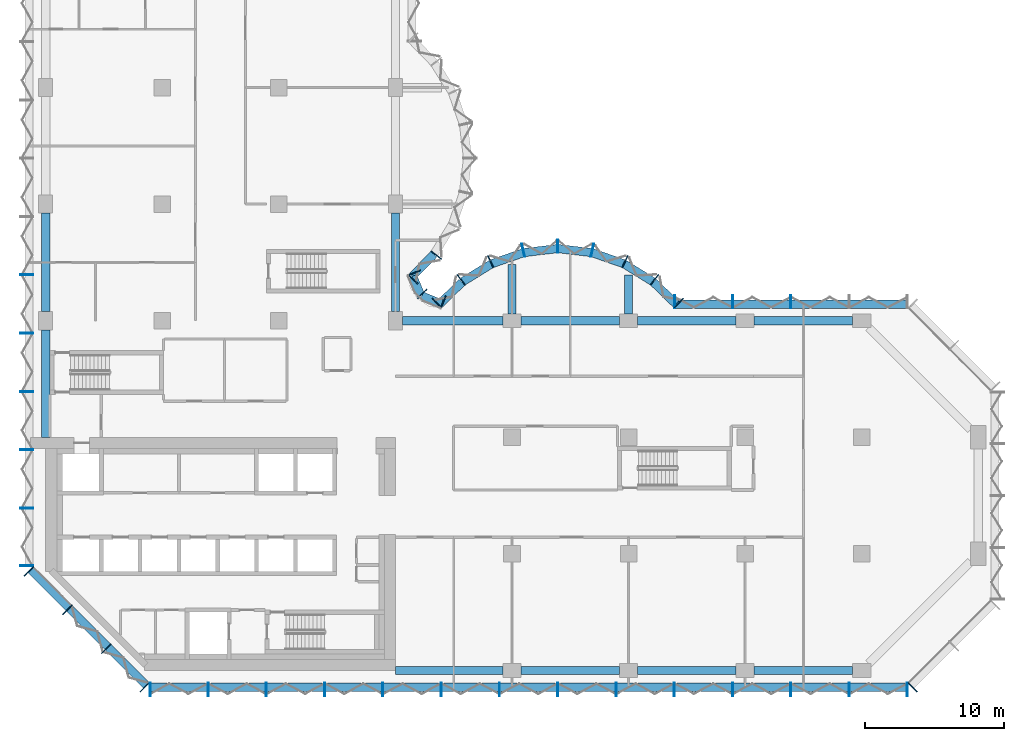
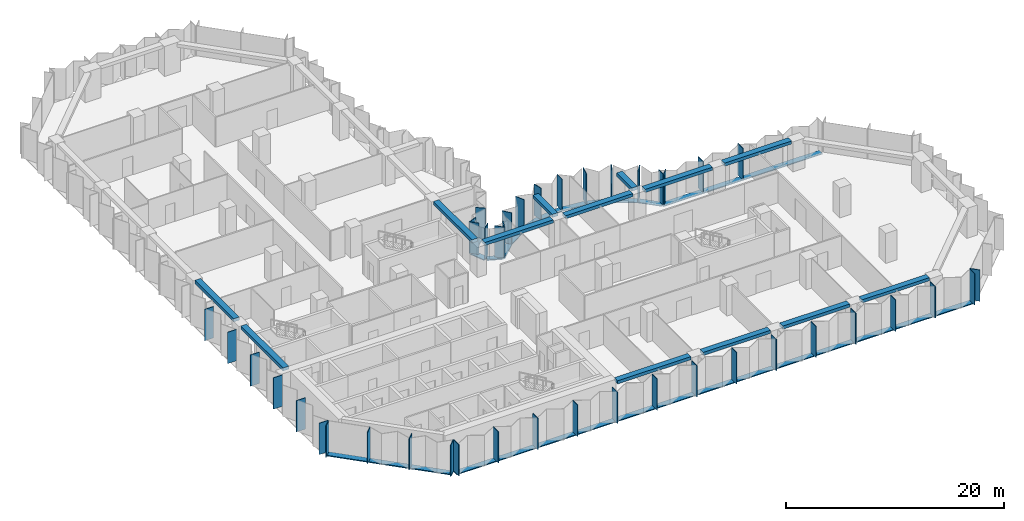
# One storey, part 2 of 13: 56 members, 13 beams, 8 elements without a shape of their own.
"""IFC4 building model written with IfcOpenShell, lengths in metres."""

from ifc_helpers import new_model, si_unit, direction, frame, origin, origin_2d, place, context, subcontext, project, spatial, rectangle, extrude, material, material_profile, profile_set, type_object, element, aggregate, save


model = new_model("IFC4")

# Units and contexts
model_context = context("Model", 3, precision=1e-05, world=origin(), true_north=direction((0.0, 1.0)))
body_context = subcontext(model_context, "Body", "Model", "MODEL_VIEW")
ifc_project = project(units=[si_unit("LENGTHUNIT", "METRE"), si_unit("AREAUNIT", "SQUARE_METRE"), si_unit("VOLUMEUNIT", "CUBIC_METRE"), si_unit("PLANEANGLEUNIT", "RADIAN"), si_unit("MASSUNIT", "GRAM", prefix="KILO")], contexts=[model_context])

# Site, building, storey
site_placement = place(None, origin())
site = spatial("IfcSite", under=ifc_project, at=site_placement, CompositionType="ELEMENT")
building_placement = place(site_placement, origin())
building = spatial("IfcBuilding", under=site, at=building_placement, Name="Brevane Broadcast Tower", CompositionType="ELEMENT")
storey_placement = place(building_placement, frame((0.0, 0.0, 116.89990234375)))
storey = spatial("IfcBuildingStorey", under=building, at=storey_placement, Name="L28", CompositionType="ELEMENT", Elevation=116.89990234375)

# Curtain wall, members
ifc_material_1 = material(Name="Aluminium 6063-T6 bronze anodised", Category="aluminium")
curtain_wall_type = type_object("IfcCurtainWallType", Name="CW-1 curtain wall", PredefinedType="NOTDEFINED", material=ifc_material_1)
curtain_wall_1_placement = place(storey_placement, origin())
curtain_wall_1 = element("IfcCurtainWall", 1, at=curtain_wall_1_placement, inside=storey, type_object=curtain_wall_type, Name="CW-1 typical tilted unit L28 south face", PredefinedType="NOTDEFINED")
ifc_material_profile_1 = material_profile(ifc_material_1, rectangle(XDim=0.949951171875, YDim=0.070068359375, at=origin_2d()), Name="RECT 70x950")
ifc_profile_set_1 = profile_set([ifc_material_profile_1], Name="Aluminium 6063-T6 bronze anodised")
member_type_1 = type_object("IfcMemberType", Name="CW-1 mullion 70x950", PredefinedType="MULLION", material=ifc_profile_set_1)
member_1_placement = place(storey_placement, frame((7.534912109375, -1.375, -0.14990234375), z_axis=(0.0, 0.0, 1.0), x_axis=(0.0, 1.0, 0.0)))
member_1 = element("IfcMember", 2, at=member_1_placement, type_object=member_type_1, Name="CW-1 mullion", PredefinedType="MULLION", context=body_context, shape_type="SweptSolid", body=[
    extrude(rectangle(XDim=0.949951171875, YDim=0.070068359375, at=origin_2d()), origin(), (0.0, 0.0, 1.0), 3.5),
])
member_2_placement = place(storey_placement, frame((11.699951171875, -1.375, -0.14990234375), z_axis=(0.0, 0.0, 1.0), x_axis=(0.0, 1.0, 0.0)))
member_2 = element("IfcMember", 3, at=member_2_placement, type_object=member_type_1, Name="CW-1 mullion", PredefinedType="MULLION", context=body_context, shape_type="SweptSolid", body=[
    extrude(rectangle(XDim=0.949951171875, YDim=0.070068359375, at=origin_2d()), origin(), (0.0, 0.0, 1.0), 3.5),
])
member_3_placement = place(storey_placement, frame((15.89990234375, -1.375, -0.14990234375), z_axis=(0.0, 0.0, 1.0), x_axis=(0.0, 1.0, 0.0)))
member_3 = element("IfcMember", 4, at=member_3_placement, type_object=member_type_1, Name="CW-1 mullion", PredefinedType="MULLION", context=body_context, shape_type="SweptSolid", body=[
    extrude(rectangle(XDim=0.949951171875, YDim=0.070068359375, at=origin_2d()), origin(), (0.0, 0.0, 1.0), 3.5),
])
member_4_placement = place(storey_placement, frame((20.10009765625, -1.375, -0.14990234375), z_axis=(0.0, 0.0, 1.0), x_axis=(0.0, 1.0, 0.0)))
member_4 = element("IfcMember", 5, at=member_4_placement, type_object=member_type_1, Name="CW-1 mullion", PredefinedType="MULLION", context=body_context, shape_type="SweptSolid", body=[
    extrude(rectangle(XDim=0.949951171875, YDim=0.070068359375, at=origin_2d()), origin(), (0.0, 0.0, 1.0), 3.5),
])
member_5_placement = place(storey_placement, frame((24.300048828125, -1.375, -0.14990234375), z_axis=(0.0, 0.0, 1.0), x_axis=(0.0, 1.0, 0.0)))
member_5 = element("IfcMember", 6, at=member_5_placement, type_object=member_type_1, Name="CW-1 mullion", PredefinedType="MULLION", context=body_context, shape_type="SweptSolid", body=[
    extrude(rectangle(XDim=0.949951171875, YDim=0.070068359375, at=origin_2d()), origin(), (0.0, 0.0, 1.0), 3.5),
])
member_6_placement = place(storey_placement, frame((28.5, -1.375, -0.14990234375), z_axis=(0.0, 0.0, 1.0), x_axis=(0.0, 1.0, 0.0)))
member_6 = element("IfcMember", 7, at=member_6_placement, type_object=member_type_1, Name="CW-1 mullion", PredefinedType="MULLION", context=body_context, shape_type="SweptSolid", body=[
    extrude(rectangle(XDim=0.949951171875, YDim=0.070068359375, at=origin_2d()), origin(), (0.0, 0.0, 1.0), 3.5),
])
member_7_placement = place(storey_placement, frame((32.699951171875, -1.375, -0.14990234375), z_axis=(0.0, 0.0, 1.0), x_axis=(0.0, 1.0, 0.0)))
member_7 = element("IfcMember", 8, at=member_7_placement, type_object=member_type_1, Name="CW-1 mullion", PredefinedType="MULLION", context=body_context, shape_type="SweptSolid", body=[
    extrude(rectangle(XDim=0.949951171875, YDim=0.070068359375, at=origin_2d()), origin(), (0.0, 0.0, 1.0), 3.5),
])
member_8_placement = place(storey_placement, frame((36.89990234375, -1.375, -0.14990234375), z_axis=(0.0, 0.0, 1.0), x_axis=(0.0, 1.0, 0.0)))
member_8 = element("IfcMember", 9, at=member_8_placement, type_object=member_type_1, Name="CW-1 mullion", PredefinedType="MULLION", context=body_context, shape_type="SweptSolid", body=[
    extrude(rectangle(XDim=0.949951171875, YDim=0.070068359375, at=origin_2d()), origin(), (0.0, 0.0, 1.0), 3.5),
])
member_9_placement = place(storey_placement, frame((41.10009765625, -1.375, -0.14990234375), z_axis=(0.0, 0.0, 1.0), x_axis=(0.0, 1.0, 0.0)))
member_9 = element("IfcMember", 10, at=member_9_placement, type_object=member_type_1, Name="CW-1 mullion", PredefinedType="MULLION", context=body_context, shape_type="SweptSolid", body=[
    extrude(rectangle(XDim=0.949951171875, YDim=0.070068359375, at=origin_2d()), origin(), (0.0, 0.0, 1.0), 3.5),
])
member_10_placement = place(storey_placement, frame((45.300048828125, -1.375, -0.14990234375), z_axis=(0.0, 0.0, 1.0), x_axis=(0.0, 1.0, 0.0)))
member_10 = element("IfcMember", 11, at=member_10_placement, type_object=member_type_1, Name="CW-1 mullion", PredefinedType="MULLION", context=body_context, shape_type="SweptSolid", body=[
    extrude(rectangle(XDim=0.949951171875, YDim=0.070068359375, at=origin_2d()), origin(), (0.0, 0.0, 1.0), 3.5),
])
member_11_placement = place(storey_placement, frame((49.5, -1.375, -0.14990234375), z_axis=(0.0, 0.0, 1.0), x_axis=(0.0, 1.0, 0.0)))
member_11 = element("IfcMember", 12, at=member_11_placement, type_object=member_type_1, Name="CW-1 mullion", PredefinedType="MULLION", context=body_context, shape_type="SweptSolid", body=[
    extrude(rectangle(XDim=0.949951171875, YDim=0.070068359375, at=origin_2d()), origin(), (0.0, 0.0, 1.0), 3.5),
])
member_12_placement = place(storey_placement, frame((53.699951171875, -1.375, -0.14990234375), z_axis=(0.0, 0.0, 1.0), x_axis=(0.0, 1.0, 0.0)))
member_12 = element("IfcMember", 13, at=member_12_placement, type_object=member_type_1, Name="CW-1 mullion", PredefinedType="MULLION", context=body_context, shape_type="SweptSolid", body=[
    extrude(rectangle(XDim=0.949951171875, YDim=0.070068359375, at=origin_2d()), origin(), (0.0, 0.0, 1.0), 3.5),
])
member_13_placement = place(storey_placement, frame((57.89990234375, -1.375, -0.14990234375), z_axis=(0.0, 0.0, 1.0), x_axis=(0.0, 1.0, 0.0)))
member_13 = element("IfcMember", 14, at=member_13_placement, type_object=member_type_1, Name="CW-1 mullion", PredefinedType="MULLION", context=body_context, shape_type="SweptSolid", body=[
    extrude(rectangle(XDim=0.949951171875, YDim=0.070068359375, at=origin_2d()), origin(), (0.0, 0.0, 1.0), 3.5),
])
member_14_placement = place(storey_placement, frame((62.06494140625, -1.375, -0.14990234375), z_axis=(0.0, 0.0, 1.0), x_axis=(0.0, 1.0, 0.0)))
member_14 = element("IfcMember", 15, at=member_14_placement, type_object=member_type_1, Name="CW-1 mullion", PredefinedType="MULLION", context=body_context, shape_type="SweptSolid", body=[
    extrude(rectangle(XDim=0.949951171875, YDim=0.070068359375, at=origin_2d()), origin(), (0.0, 0.0, 1.0), 3.5),
])

# Curtain wall, member
curtain_wall_2_placement = place(storey_placement, origin())
curtain_wall_2 = element("IfcCurtainWall", 16, at=curtain_wall_2_placement, inside=storey, type_object=curtain_wall_type, Name="CW-1 typical tilted unit L28 south-east chamfer", PredefinedType="NOTDEFINED")
member_15_placement = place(storey_placement, frame((62.460693359375, -1.211181640625, -0.14990234375), z_axis=(0.0, 0.0, 1.0), x_axis=(-0.707106781187, 0.707106781187, 0.0)))
member_15 = element("IfcMember", 17, at=member_15_placement, type_object=member_type_1, Name="CW-1 mullion", PredefinedType="MULLION", context=body_context, shape_type="SweptSolid", body=[
    extrude(rectangle(XDim=0.949951171875, YDim=0.070068359375, at=origin_2d()), origin(), (0.0, 0.0, 1.0), 3.5),
])
aggregate(curtain_wall_2, [member_15])

# Curtain wall, members
curtain_wall_3_placement = place(storey_placement, origin())
curtain_wall_3 = element("IfcCurtainWall", 18, at=curtain_wall_3_placement, inside=storey, type_object=curtain_wall_type, Name="CW-1 typical tilted unit L28 east arm north face", PredefinedType="NOTDEFINED")
member_16_placement = place(storey_placement, frame((53.699951171875, 26.574951171875, -0.14990234375), z_axis=(0.0, 0.0, 1.0), x_axis=(0.0, -1.0, 0.0)))
member_16 = element("IfcMember", 19, at=member_16_placement, type_object=member_type_1, Name="CW-1 mullion", PredefinedType="MULLION", context=body_context, shape_type="SweptSolid", body=[
    extrude(rectangle(XDim=0.949951171875, YDim=0.070068359375, at=origin_2d()), origin(), (0.0, 0.0, 1.0), 3.5),
])
member_17_placement = place(storey_placement, frame((49.5, 26.574951171875, -0.14990234375), z_axis=(0.0, 0.0, 1.0), x_axis=(0.0, -1.0, 0.0)))
member_17 = element("IfcMember", 20, at=member_17_placement, type_object=member_type_1, Name="CW-1 mullion", PredefinedType="MULLION", context=body_context, shape_type="SweptSolid", body=[
    extrude(rectangle(XDim=0.949951171875, YDim=0.070068359375, at=origin_2d()), origin(), (0.0, 0.0, 1.0), 3.5),
])
member_18_placement = place(storey_placement, frame((45.3349609375, 26.574951171875, -0.14990234375), z_axis=(0.0, 0.0, 1.0), x_axis=(0.0, -1.0, 0.0)))
member_18 = element("IfcMember", 21, at=member_18_placement, type_object=member_type_1, Name="CW-1 mullion", PredefinedType="MULLION", context=body_context, shape_type="SweptSolid", body=[
    extrude(rectangle(XDim=0.949951171875, YDim=0.070068359375, at=origin_2d()), origin(), (0.0, 0.0, 1.0), 3.5),
])

curtain_wall_4_placement = place(storey_placement, origin())
curtain_wall_4 = element("IfcCurtainWall", 22, at=curtain_wall_4_placement, inside=storey, type_object=curtain_wall_type, Name="CW-1 typical tilted unit L28 east bow", PredefinedType="NOTDEFINED")
member_19_placement = place(storey_placement, frame((45.60595703125, 26.465087890625, -0.14990234375), z_axis=(0.0, 0.0, 1.0), x_axis=(-0.696811941702, -0.717253872699, 0.0)))
member_19 = element("IfcMember", 23, at=member_19_placement, type_object=member_type_1, Name="CW-1 mullion", PredefinedType="MULLION", context=body_context, shape_type="SweptSolid", body=[
    extrude(rectangle(XDim=0.949951171875, YDim=0.070068359375, at=origin_2d()), origin(), (0.0, 0.0, 1.0), 3.5),
])
member_20_placement = place(storey_placement, frame((43.8720703125, 28.1455078125, -0.14990234375), z_axis=(0.0, 0.0, 1.0), x_axis=(-0.614769738617, -0.788706642853, 0.0)))
member_20 = element("IfcMember", 24, at=member_20_placement, type_object=member_type_1, Name="CW-1 mullion", PredefinedType="MULLION", context=body_context, shape_type="SweptSolid", body=[
    extrude(rectangle(XDim=0.949951171875, YDim=0.070068359375, at=origin_2d()), origin(), (0.0, 0.0, 1.0), 3.5),
])
member_21_placement = place(storey_placement, frame((41.746826171875, 29.4580078125, -0.14990234375), z_axis=(0.0, 0.0, 1.0), x_axis=(-0.429933601163, -0.902860508933, 0.0)))
member_21 = element("IfcMember", 25, at=member_21_placement, type_object=member_type_1, Name="CW-1 mullion", PredefinedType="MULLION", context=body_context, shape_type="SweptSolid", body=[
    extrude(rectangle(XDim=0.949951171875, YDim=0.070068359375, at=origin_2d()), origin(), (0.0, 0.0, 1.0), 3.5),
])
member_22_placement = place(storey_placement, frame((39.38818359375, 30.28076171875, -0.14990234375), z_axis=(0.0, 0.0, 1.0), x_axis=(-0.224806482215, -0.974403430594, 0.0)))
member_22 = element("IfcMember", 26, at=member_22_placement, type_object=member_type_1, Name="CW-1 mullion", PredefinedType="MULLION", context=body_context, shape_type="SweptSolid", body=[
    extrude(rectangle(XDim=0.949951171875, YDim=0.070068359375, at=origin_2d()), origin(), (0.0, 0.0, 1.0), 3.5),
])
member_23_placement = place(storey_placement, frame((36.89990234375, 30.574951171875, -0.14990234375), z_axis=(0.0, 0.0, 1.0), x_axis=(0.0, -1.0, 0.0)))
member_23 = element("IfcMember", 27, at=member_23_placement, type_object=member_type_1, Name="CW-1 mullion", PredefinedType="MULLION", context=body_context, shape_type="SweptSolid", body=[
    extrude(rectangle(XDim=0.949951171875, YDim=0.070068359375, at=origin_2d()), origin(), (0.0, 0.0, 1.0), 3.5),
])
member_24_placement = place(storey_placement, frame((34.411865234375, 30.28076171875, -0.14990234375), z_axis=(0.0, 0.0, 1.0), x_axis=(0.224806482215, -0.974403430594, 0.0)))
member_24 = element("IfcMember", 28, at=member_24_placement, type_object=member_type_1, Name="CW-1 mullion", PredefinedType="MULLION", context=body_context, shape_type="SweptSolid", body=[
    extrude(rectangle(XDim=0.949951171875, YDim=0.070068359375, at=origin_2d()), origin(), (0.0, 0.0, 1.0), 3.5),
])
member_25_placement = place(storey_placement, frame((32.05322265625, 29.4580078125, -0.14990234375), z_axis=(0.0, 0.0, 1.0), x_axis=(0.429933601163, -0.902860508933, 0.0)))
member_25 = element("IfcMember", 29, at=member_25_placement, type_object=member_type_1, Name="CW-1 mullion", PredefinedType="MULLION", context=body_context, shape_type="SweptSolid", body=[
    extrude(rectangle(XDim=0.949951171875, YDim=0.070068359375, at=origin_2d()), origin(), (0.0, 0.0, 1.0), 3.5),
])
member_26_placement = place(storey_placement, frame((29.927978515625, 28.1455078125, -0.14990234375), z_axis=(0.0, 0.0, 1.0), x_axis=(0.614769738617, -0.788706642853, 0.0)))
member_26 = element("IfcMember", 30, at=member_26_placement, type_object=member_type_1, Name="CW-1 mullion", PredefinedType="MULLION", context=body_context, shape_type="SweptSolid", body=[
    extrude(rectangle(XDim=0.949951171875, YDim=0.070068359375, at=origin_2d()), origin(), (0.0, 0.0, 1.0), 3.5),
])
member_27_placement = place(storey_placement, frame((28.194091796875, 26.465087890625, -0.14990234375), z_axis=(0.0, 0.0, 1.0), x_axis=(0.696811941702, -0.717253872699, 0.0)))
member_27 = element("IfcMember", 31, at=member_27_placement, type_object=member_type_1, Name="CW-1 mullion", PredefinedType="MULLION", context=body_context, shape_type="SweptSolid", body=[
    extrude(rectangle(XDim=0.949951171875, YDim=0.070068359375, at=origin_2d()), origin(), (0.0, 0.0, 1.0), 3.5),
])

curtain_wall_5_placement = place(storey_placement, origin())
curtain_wall_5 = element("IfcCurtainWall", 32, at=curtain_wall_5_placement, inside=storey, type_object=curtain_wall_type, Name="CW-1 typical tilted unit L28 inner corner", PredefinedType="NOTDEFINED")
member_28_placement = place(storey_placement, frame((28.6494140625, 26.55224609375, -0.14990234375), z_axis=(0.0, 0.0, 1.0), x_axis=(-0.382683612978, -0.923879457699, 0.0)))
member_28 = element("IfcMember", 33, at=member_28_placement, type_object=member_type_1, Name="CW-1 mullion", PredefinedType="MULLION", context=body_context, shape_type="SweptSolid", body=[
    extrude(rectangle(XDim=0.949951171875, YDim=0.070068359375, at=origin_2d()), origin(), (0.0, 0.0, 1.0), 3.5),
])
member_29_placement = place(storey_placement, frame((27.138916015625, 27.138916015625, -0.14990234375), z_axis=(0.0, 0.0, 1.0), x_axis=(-0.707106781187, -0.707106781187, 0.0)))
member_29 = element("IfcMember", 34, at=member_29_placement, type_object=member_type_1, Name="CW-1 mullion", PredefinedType="MULLION", context=body_context, shape_type="SweptSolid", body=[
    extrude(rectangle(XDim=0.949951171875, YDim=0.070068359375, at=origin_2d()), origin(), (0.0, 0.0, 1.0), 3.5),
])
member_30_placement = place(storey_placement, frame((26.55224609375, 28.6494140625, -0.14990234375), z_axis=(0.0, 0.0, 1.0), x_axis=(-0.923879457699, -0.382683612978, 0.0)))
member_30 = element("IfcMember", 35, at=member_30_placement, type_object=member_type_1, Name="CW-1 mullion", PredefinedType="MULLION", context=body_context, shape_type="SweptSolid", body=[
    extrude(rectangle(XDim=0.949951171875, YDim=0.070068359375, at=origin_2d()), origin(), (0.0, 0.0, 1.0), 3.5),
])

curtain_wall_6_placement = place(storey_placement, origin())
curtain_wall_6 = element("IfcCurtainWall", 36, at=curtain_wall_6_placement, inside=storey, type_object=curtain_wall_type, Name="CW-1 typical tilted unit L28 north bow", PredefinedType="NOTDEFINED")
member_31_placement = place(storey_placement, frame((26.465087890625, 28.194091796875, -0.14990234375), z_axis=(0.0, 0.0, 1.0), x_axis=(-0.717253872699, 0.696811941702, 0.0)))
member_31 = element("IfcMember", 37, at=member_31_placement, type_object=member_type_1, Name="CW-1 mullion", PredefinedType="MULLION", context=body_context, shape_type="SweptSolid", body=[
    extrude(rectangle(XDim=0.949951171875, YDim=0.070068359375, at=origin_2d()), origin(), (0.0, 0.0, 1.0), 3.5),
])
member_32_placement = place(storey_placement, frame((28.1455078125, 29.927978515625, -0.14990234375), z_axis=(0.0, 0.0, 1.0), x_axis=(-0.788706642853, 0.614769738617, 0.0)))
member_32 = element("IfcMember", 38, at=member_32_placement, type_object=member_type_1, Name="CW-1 mullion", PredefinedType="MULLION", context=body_context, shape_type="SweptSolid", body=[
    extrude(rectangle(XDim=0.949951171875, YDim=0.070068359375, at=origin_2d()), origin(), (0.0, 0.0, 1.0), 3.5),
])

curtain_wall_7_placement = place(storey_placement, origin())
curtain_wall_7 = element("IfcCurtainWall", 39, at=curtain_wall_7_placement, inside=storey, type_object=curtain_wall_type, Name="CW-1 typical tilted unit L28 west face", PredefinedType="NOTDEFINED")
member_33_placement = place(storey_placement, frame((-1.375, 28.5, -0.14990234375), z_axis=(0.0, 0.0, 1.0), x_axis=(1.0, 0.0, 0.0)))
member_33 = element("IfcMember", 40, at=member_33_placement, type_object=member_type_1, Name="CW-1 mullion", PredefinedType="MULLION", context=body_context, shape_type="SweptSolid", body=[
    extrude(rectangle(XDim=0.949951171875, YDim=0.070068359375, at=origin_2d()), origin(), (0.0, 0.0, 1.0), 3.5),
])
member_34_placement = place(storey_placement, frame((-1.375, 24.300048828125, -0.14990234375), z_axis=(0.0, 0.0, 1.0), x_axis=(1.0, 0.0, 0.0)))
member_34 = element("IfcMember", 41, at=member_34_placement, type_object=member_type_1, Name="CW-1 mullion", PredefinedType="MULLION", context=body_context, shape_type="SweptSolid", body=[
    extrude(rectangle(XDim=0.949951171875, YDim=0.070068359375, at=origin_2d()), origin(), (0.0, 0.0, 1.0), 3.5),
])
member_35_placement = place(storey_placement, frame((-1.375, 20.10009765625, -0.14990234375), z_axis=(0.0, 0.0, 1.0), x_axis=(1.0, 0.0, 0.0)))
member_35 = element("IfcMember", 42, at=member_35_placement, type_object=member_type_1, Name="CW-1 mullion", PredefinedType="MULLION", context=body_context, shape_type="SweptSolid", body=[
    extrude(rectangle(XDim=0.949951171875, YDim=0.070068359375, at=origin_2d()), origin(), (0.0, 0.0, 1.0), 3.5),
])
member_36_placement = place(storey_placement, frame((-1.375, 15.89990234375, -0.14990234375), z_axis=(0.0, 0.0, 1.0), x_axis=(1.0, 0.0, 0.0)))
member_36 = element("IfcMember", 43, at=member_36_placement, type_object=member_type_1, Name="CW-1 mullion", PredefinedType="MULLION", context=body_context, shape_type="SweptSolid", body=[
    extrude(rectangle(XDim=0.949951171875, YDim=0.070068359375, at=origin_2d()), origin(), (0.0, 0.0, 1.0), 3.5),
])
member_37_placement = place(storey_placement, frame((-1.375, 11.699951171875, -0.14990234375), z_axis=(0.0, 0.0, 1.0), x_axis=(1.0, 0.0, 0.0)))
member_37 = element("IfcMember", 44, at=member_37_placement, type_object=member_type_1, Name="CW-1 mullion", PredefinedType="MULLION", context=body_context, shape_type="SweptSolid", body=[
    extrude(rectangle(XDim=0.949951171875, YDim=0.070068359375, at=origin_2d()), origin(), (0.0, 0.0, 1.0), 3.5),
])
member_38_placement = place(storey_placement, frame((-1.375, 7.534912109375, -0.14990234375), z_axis=(0.0, 0.0, 1.0), x_axis=(1.0, 0.0, 0.0)))
member_38 = element("IfcMember", 45, at=member_38_placement, type_object=member_type_1, Name="CW-1 mullion", PredefinedType="MULLION", context=body_context, shape_type="SweptSolid", body=[
    extrude(rectangle(XDim=0.949951171875, YDim=0.070068359375, at=origin_2d()), origin(), (0.0, 0.0, 1.0), 3.5),
])
aggregate(curtain_wall_7, [member_33, member_34, member_35, member_36, member_37, member_38])

curtain_wall_8_placement = place(storey_placement, origin())
curtain_wall_8 = element("IfcCurtainWall", 46, at=curtain_wall_8_placement, inside=storey, type_object=curtain_wall_type, Name="CW-1 typical tilted unit L28 south-west chamfer", PredefinedType="NOTDEFINED")
member_39_placement = place(storey_placement, frame((-1.211181640625, 7.139404296875, -0.14990234375), z_axis=(0.0, 0.0, 1.0), x_axis=(0.707106781187, 0.707106781187, 0.0)))
member_39 = element("IfcMember", 47, at=member_39_placement, type_object=member_type_1, Name="CW-1 mullion", PredefinedType="MULLION", context=body_context, shape_type="SweptSolid", body=[
    extrude(rectangle(XDim=0.949951171875, YDim=0.070068359375, at=origin_2d()), origin(), (0.0, 0.0, 1.0), 3.5),
])
member_40_placement = place(storey_placement, frame((1.564208984375, 4.364013671875, -0.14990234375), z_axis=(0.0, 0.0, 1.0), x_axis=(0.707106781187, 0.707106781187, 0.0)))
member_40 = element("IfcMember", 48, at=member_40_placement, type_object=member_type_1, Name="CW-1 mullion", PredefinedType="MULLION", context=body_context, shape_type="SweptSolid", body=[
    extrude(rectangle(XDim=0.949951171875, YDim=0.070068359375, at=origin_2d()), origin(), (0.0, 0.0, 1.0), 3.5),
])
member_41_placement = place(storey_placement, frame((4.364013671875, 1.564208984375, -0.14990234375), z_axis=(0.0, 0.0, 1.0), x_axis=(0.707106781187, 0.707106781187, 0.0)))
member_41 = element("IfcMember", 49, at=member_41_placement, type_object=member_type_1, Name="CW-1 mullion", PredefinedType="MULLION", context=body_context, shape_type="SweptSolid", body=[
    extrude(rectangle(XDim=0.949951171875, YDim=0.070068359375, at=origin_2d()), origin(), (0.0, 0.0, 1.0), 3.5),
])
member_42_placement = place(storey_placement, frame((7.139404296875, -1.211181640625, -0.14990234375), z_axis=(0.0, 0.0, 1.0), x_axis=(0.707106781187, 0.707106781187, 0.0)))
member_42 = element("IfcMember", 50, at=member_42_placement, type_object=member_type_1, Name="CW-1 mullion", PredefinedType="MULLION", context=body_context, shape_type="SweptSolid", body=[
    extrude(rectangle(XDim=0.949951171875, YDim=0.070068359375, at=origin_2d()), origin(), (0.0, 0.0, 1.0), 3.5),
])

# Member
ifc_material_profile_2 = material_profile(ifc_material_1, rectangle(XDim=0.60009765625, YDim=0.10009765625, at=origin_2d()), Name="RECT 100x600")
ifc_profile_set_2 = profile_set([ifc_material_profile_2], Name="Aluminium 6063-T6 bronze anodised")
member_type_2 = type_object("IfcMemberType", Name="CW-1 transom 100x600", PredefinedType="USERDEFINED", material=ifc_profile_set_2)
member_43_placement = place(storey_placement, frame((7.5, -1.199951171875, -0.199951171875), z_axis=(1.0, 0.0, 0.0), x_axis=(0.0, 1.0, 0.0)))
member_43 = element("IfcMember", 51, at=member_43_placement, type_object=member_type_2, Name="CW-1 transom", ObjectType="TRANSOM", PredefinedType="USERDEFINED", context=body_context, shape_type="SweptSolid", body=[
    extrude(rectangle(XDim=0.60009765625, YDim=0.10009765625, at=origin_2d()), origin(), (0.0, 0.0, 1.0), 54.60009765625),
])

aggregate(curtain_wall_1, [member_1, member_2, member_3, member_4, member_5, member_6, member_7, member_8, member_9, member_10, member_11, member_12, member_13, member_14, member_43])

member_44_placement = place(storey_placement, frame((62.10009765625, 26.39990234375, -0.199951171875), z_axis=(-1.0, 0.0, 0.0), x_axis=(0.0, -1.0, 0.0)))
member_44 = element("IfcMember", 52, at=member_44_placement, type_object=member_type_2, Name="CW-1 transom", ObjectType="TRANSOM", PredefinedType="USERDEFINED", context=body_context, shape_type="SweptSolid", body=[
    extrude(rectangle(XDim=0.60009765625, YDim=0.10009765625, at=origin_2d()), origin(), (0.0, 0.0, 1.0), 16.800048828125),
])

aggregate(curtain_wall_3, [member_16, member_17, member_18, member_44])

member_45_placement = place(storey_placement, frame((45.412841796875, 26.407958984375, -0.199951171875), z_axis=(-0.71724215871, 0.696823999134, 0.0), x_axis=(-0.696823999134, -0.71724215871, 0.0)))
member_45 = element("IfcMember", 53, at=member_45_placement, type_object=member_type_2, Name="CW-1 transom", ObjectType="TRANSOM", PredefinedType="USERDEFINED", context=body_context, shape_type="SweptSolid", body=[
    extrude(rectangle(XDim=0.60009765625, YDim=0.10009765625, at=origin_2d()), origin(), (0.0, 0.0, 1.0), 2.247802734375),
])

member_46_placement = place(storey_placement, frame((43.7421875, 28.023193359375, -0.199951171875), z_axis=(-0.850810063131, 0.525473345162, 0.0), x_axis=(-0.525473345162, -0.850810063131, 0.0)))
member_46 = element("IfcMember", 54, at=member_46_placement, type_object=member_type_2, Name="CW-1 transom", ObjectType="TRANSOM", PredefinedType="USERDEFINED", context=body_context, shape_type="SweptSolid", body=[
    extrude(rectangle(XDim=0.60009765625, YDim=0.10009765625, at=origin_2d()), origin(), (0.0, 0.0, 1.0), 2.39453125),
])

member_47_placement = place(storey_placement, frame((41.63623046875, 29.314208984375, -0.199951171875), z_axis=(-0.944197969542, 0.329378497041, 0.0), x_axis=(-0.329378497041, -0.944197969542, 0.0)))
member_47 = element("IfcMember", 55, at=member_47_placement, type_object=member_type_2, Name="CW-1 transom", ObjectType="TRANSOM", PredefinedType="USERDEFINED", context=body_context, shape_type="SweptSolid", body=[
    extrude(rectangle(XDim=0.60009765625, YDim=0.10009765625, at=origin_2d()), origin(), (0.0, 0.0, 1.0), 2.394775390625),
])

member_48_placement = place(storey_placement, frame((39.30029296875, 30.117431640625, -0.199951171875), z_axis=(-0.993062061831, 0.117591417, 0.0), x_axis=(-0.117591417, -0.993062061831, 0.0)))
member_48 = element("IfcMember", 56, at=member_48_placement, type_object=member_type_2, Name="CW-1 transom", ObjectType="TRANSOM", PredefinedType="USERDEFINED", context=body_context, shape_type="SweptSolid", body=[
    extrude(rectangle(XDim=0.60009765625, YDim=0.10009765625, at=origin_2d()), origin(), (0.0, 0.0, 1.0), 2.39794921875),
])

member_49_placement = place(storey_placement, frame((36.880859375, 30.3994140625, -0.199951171875), z_axis=(-0.993060653805, -0.117603307202, 0.0), x_axis=(0.117603307202, -0.993060653805, 0.0)))
member_49 = element("IfcMember", 57, at=member_49_placement, type_object=member_type_2, Name="CW-1 transom", ObjectType="TRANSOM", PredefinedType="USERDEFINED", context=body_context, shape_type="SweptSolid", body=[
    extrude(rectangle(XDim=0.60009765625, YDim=0.10009765625, at=origin_2d()), origin(), (0.0, 0.0, 1.0), 2.397705078125),
])

member_50_placement = place(storey_placement, frame((34.425048828125, 30.10302734375, -0.199951171875), z_axis=(-0.944197969542, -0.329378497041, 0.0), x_axis=(0.329378497041, -0.944197969542, 0.0)))
member_50 = element("IfcMember", 58, at=member_50_placement, type_object=member_type_2, Name="CW-1 transom", ObjectType="TRANSOM", PredefinedType="USERDEFINED", context=body_context, shape_type="SweptSolid", body=[
    extrude(rectangle(XDim=0.60009765625, YDim=0.10009765625, at=origin_2d()), origin(), (0.0, 0.0, 1.0), 2.394775390625),
])

member_51_placement = place(storey_placement, frame((32.09521484375, 29.281494140625, -0.199951171875), z_axis=(-0.850838211365, -0.525427766759, 0.0), x_axis=(0.525427766759, -0.850838211365, 0.0)))
member_51 = element("IfcMember", 59, at=member_51_placement, type_object=member_type_2, Name="CW-1 transom", ObjectType="TRANSOM", PredefinedType="USERDEFINED", context=body_context, shape_type="SweptSolid", body=[
    extrude(rectangle(XDim=0.60009765625, YDim=0.10009765625, at=origin_2d()), origin(), (0.0, 0.0, 1.0), 2.394775390625),
])

member_52_placement = place(storey_placement, frame((29.99951171875, 27.974365234375, -0.199951171875), z_axis=(-0.71724215871, -0.696823999134, 0.0), x_axis=(0.696823999134, -0.71724215871, 0.0)))
member_52 = element("IfcMember", 60, at=member_52_placement, type_object=member_type_2, Name="CW-1 transom", ObjectType="TRANSOM", PredefinedType="USERDEFINED", context=body_context, shape_type="SweptSolid", body=[
    extrude(rectangle(XDim=0.60009765625, YDim=0.10009765625, at=origin_2d()), origin(), (0.0, 0.0, 1.0), 2.247802734375),
])

aggregate(curtain_wall_4, [member_19, member_20, member_21, member_22, member_23, member_24, member_25, member_26, member_27, member_45, member_46, member_47, member_48, member_49, member_50, member_51, member_52])

member_53_placement = place(storey_placement, frame((28.528076171875, 26.40673828125, -0.199951171875), z_axis=(-0.923883243627, 0.382674472816, 0.0), x_axis=(-0.382674472816, -0.923883243627, 0.0)))
member_53 = element("IfcMember", 61, at=member_53_placement, type_object=member_type_2, Name="CW-1 transom", ObjectType="TRANSOM", PredefinedType="USERDEFINED", context=body_context, shape_type="SweptSolid", body=[
    extrude(rectangle(XDim=0.60009765625, YDim=0.10009765625, at=origin_2d()), origin(), (0.0, 0.0, 1.0), 1.536865234375),
])

member_54_placement = place(storey_placement, frame((27.039794921875, 27.0, -0.199951171875), z_axis=(-0.382674472816, 0.923883243627, 0.0), x_axis=(-0.923883243627, -0.382674472816, 0.0)))
member_54 = element("IfcMember", 62, at=member_54_placement, type_object=member_type_2, Name="CW-1 transom", ObjectType="TRANSOM", PredefinedType="USERDEFINED", context=body_context, shape_type="SweptSolid", body=[
    extrude(rectangle(XDim=0.60009765625, YDim=0.10009765625, at=origin_2d()), origin(), (0.0, 0.0, 1.0), 1.536865234375),
])

aggregate(curtain_wall_5, [member_28, member_29, member_30, member_53, member_54])

member_55_placement = place(storey_placement, frame((26.407958984375, 28.38720703125, -0.199951171875), z_axis=(0.696823999134, 0.71724215871, 0.0), x_axis=(-0.71724215871, 0.696823999134, 0.0)))
member_55 = element("IfcMember", 63, at=member_55_placement, type_object=member_type_2, Name="CW-1 transom", ObjectType="TRANSOM", PredefinedType="USERDEFINED", context=body_context, shape_type="SweptSolid", body=[
    extrude(rectangle(XDim=0.60009765625, YDim=0.10009765625, at=origin_2d()), origin(), (0.0, 0.0, 1.0), 2.247802734375),
])

aggregate(curtain_wall_6, [member_31, member_32, member_55])

member_56_placement = place(storey_placement, frame((-1.112060546875, 7.287841796875, -0.199951171875), z_axis=(0.707106781187, -0.707106781187, 0.0), x_axis=(0.707106781187, 0.707106781187, 0.0)))
member_56 = element("IfcMember", 64, at=member_56_placement, type_object=member_type_2, Name="CW-1 transom", ObjectType="TRANSOM", PredefinedType="USERDEFINED", context=body_context, shape_type="SweptSolid", body=[
    extrude(rectangle(XDim=0.60009765625, YDim=0.10009765625, at=origin_2d()), origin(), (0.0, 0.0, 1.0), 11.879150390625),
])

aggregate(curtain_wall_8, [member_39, member_40, member_41, member_42, member_56])

# Beams
ifc_material_2 = material(Name="Concrete C40/50", Category="concrete")
ifc_material_profile_3 = material_profile(ifc_material_2, rectangle(XDim=0.60009765625, YDim=0.35009765625, at=origin_2d()), Name="RC 600x350")
ifc_profile_set_3 = profile_set([ifc_material_profile_3], Name="Concrete C40/50")
beam_type_1 = type_object("IfcBeamType", Name="RC BRACKET BEAM 600x350 C40/50", PredefinedType="BEAM", material=ifc_profile_set_3)
beam_1_placement = place(storey_placement, frame((33.60009765625, 25.699951171875, 3.175048828125), z_axis=(0.0, 1.0, 0.0), x_axis=(-1.0, 0.0, 0.0)))
element("IfcBeam", 65, at=beam_1_placement, inside=storey, type_object=beam_type_1, Name="EB2 L28-3", PredefinedType="BEAM", context=body_context, shape_type="SweptSolid", body=[
    extrude(rectangle(XDim=0.60009765625, YDim=0.35009765625, at=origin_2d()), origin(), (0.0, 0.0, 1.0), 3.56201171875),
])
beam_2_placement = place(storey_placement, frame((42.0, 25.699951171875, 3.175048828125), z_axis=(0.0, 1.0, 0.0), x_axis=(-1.0, 0.0, 0.0)))
element("IfcBeam", 66, at=beam_2_placement, inside=storey, type_object=beam_type_1, Name="EB2 L28-4", PredefinedType="BEAM", context=body_context, shape_type="SweptSolid", body=[
    extrude(rectangle(XDim=0.60009765625, YDim=0.35009765625, at=origin_2d()), origin(), (0.0, 0.0, 1.0), 2.8115234375),
])
ifc_material_profile_4 = material_profile(ifc_material_2, rectangle(XDim=0.60009765625, YDim=0.35009765625, at=origin_2d()), Name="RC 600x350")
ifc_profile_set_4 = profile_set([ifc_material_profile_4], Name="Concrete C40/50")
beam_type_2 = type_object("IfcBeamType", Name="RC SPANDREL BEAM 600x350 C40/50", PredefinedType="SPANDREL", material=ifc_profile_set_4)
beam_3_placement = place(storey_placement, frame((25.199951171875, 0.0, 3.175048828125), z_axis=(1.0, 0.0, 0.0), x_axis=(0.0, 1.0, 0.0)))
element("IfcBeam", 67, at=beam_3_placement, inside=storey, type_object=beam_type_2, Name="EB1 L28-1", PredefinedType="SPANDREL", context=body_context, shape_type="SweptSolid", body=[
    extrude(rectangle(XDim=0.60009765625, YDim=0.35009765625, at=origin_2d()), origin(), (0.0, 0.0, 1.0), 7.75),
])
for number, where, z_axis, x_axis, name in (
    (68, (34.25, 0.0, 3.175048828125), (1.0, 0.0, 0.0), (0.0, 1.0, 0.0), "EB1 L28-2"),
    (69, (42.64990234375, 0.0, 3.175048828125), (1.0, 0.0, 0.0), (0.0, 1.0, 0.0), "EB1 L28-3"),
):
    element("IfcBeam", number, at=place(storey_placement, frame(where, z_axis=z_axis, x_axis=x_axis)), inside=storey, type_object=beam_type_2, Name=name, PredefinedType="SPANDREL", context=body_context, shape_type="SweptSolid", body=[
        extrude(rectangle(XDim=0.60009765625, YDim=0.35009765625, at=origin_2d()), origin(), (0.0, 0.0, 1.0), 7.10009765625),
    ])
for number, where, z_axis, x_axis, name in (
    (70, (51.050048828125, 0.0, 3.175048828125), (1.0, 0.0, 0.0), (0.0, 1.0, 0.0), "EB1 L28-4"),
    (71, (58.14990234375, 25.199951171875, 3.175048828125), (-1.0, 0.0, 0.0), (0.0, -1.0, 0.0), "EB1 L28-8"),
):
    element("IfcBeam", number, at=place(storey_placement, frame(where, z_axis=z_axis, x_axis=x_axis)), inside=storey, type_object=beam_type_2, Name=name, PredefinedType="SPANDREL", context=body_context, shape_type="SweptSolid", body=[
        extrude(rectangle(XDim=0.60009765625, YDim=0.35009765625, at=origin_2d()), origin(), (0.0, 0.0, 1.0), 7.099853515625),
    ])
for number, where, z_axis, x_axis, name in (
    (72, (49.75, 25.199951171875, 3.175048828125), (-1.0, 0.0, 0.0), (0.0, -1.0, 0.0), "EB1 L28-9"),
    (73, (41.35009765625, 25.199951171875, 3.175048828125), (-1.0, 0.0, 0.0), (0.0, -1.0, 0.0), "EB1 L28-10"),
):
    element("IfcBeam", number, at=place(storey_placement, frame(where, z_axis=z_axis, x_axis=x_axis)), inside=storey, type_object=beam_type_2, Name=name, PredefinedType="SPANDREL", context=body_context, shape_type="SweptSolid", body=[
        extrude(rectangle(XDim=0.60009765625, YDim=0.35009765625, at=origin_2d()), origin(), (0.0, 0.0, 1.0), 7.10009765625),
    ])
beam_4_placement = place(storey_placement, frame((32.949951171875, 25.199951171875, 3.175048828125), z_axis=(-1.0, 0.0, 0.0), x_axis=(0.0, -1.0, 0.0)))
element("IfcBeam", 74, at=beam_4_placement, inside=storey, type_object=beam_type_2, Name="EB1 L28-11", PredefinedType="SPANDREL", context=body_context, shape_type="SweptSolid", body=[
    extrude(rectangle(XDim=0.60009765625, YDim=0.35009765625, at=origin_2d()), origin(), (0.0, 0.0, 1.0), 7.25),
])
for number, where, z_axis, x_axis, name in (
    (75, (25.199951171875, 25.85009765625, 3.175048828125), (0.0, 1.0, 0.0), (-1.0, 0.0, 0.0), "EB1 L28-12"),
    (76, (0.0, 32.949951171875, 3.175048828125), (0.0, -1.0, 0.0), (1.0, 0.0, 0.0), "EB1 L28-22"),
):
    element("IfcBeam", number, at=place(storey_placement, frame(where, z_axis=z_axis, x_axis=x_axis)), inside=storey, type_object=beam_type_2, Name=name, PredefinedType="SPANDREL", context=body_context, shape_type="SweptSolid", body=[
        extrude(rectangle(XDim=0.60009765625, YDim=0.35009765625, at=origin_2d()), origin(), (0.0, 0.0, 1.0), 7.099853515625),
    ])
beam_5_placement = place(storey_placement, frame((0.0, 24.550048828125, 3.175048828125), z_axis=(0.0, -1.0, 0.0), x_axis=(1.0, 0.0, 0.0)))
element("IfcBeam", 77, at=beam_5_placement, inside=storey, type_object=beam_type_2, Name="EB1 L28-23", PredefinedType="SPANDREL", context=body_context, shape_type="SweptSolid", body=[
    extrude(rectangle(XDim=0.60009765625, YDim=0.35009765625, at=origin_2d()), origin(), (0.0, 0.0, 1.0), 7.75),
])

save(model, "model.ifc")
